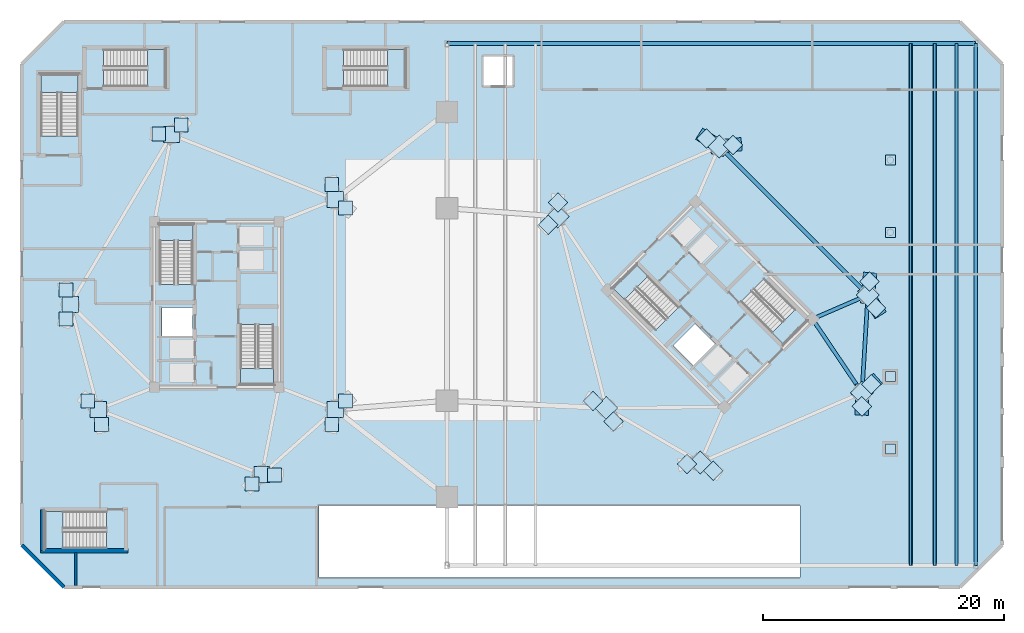
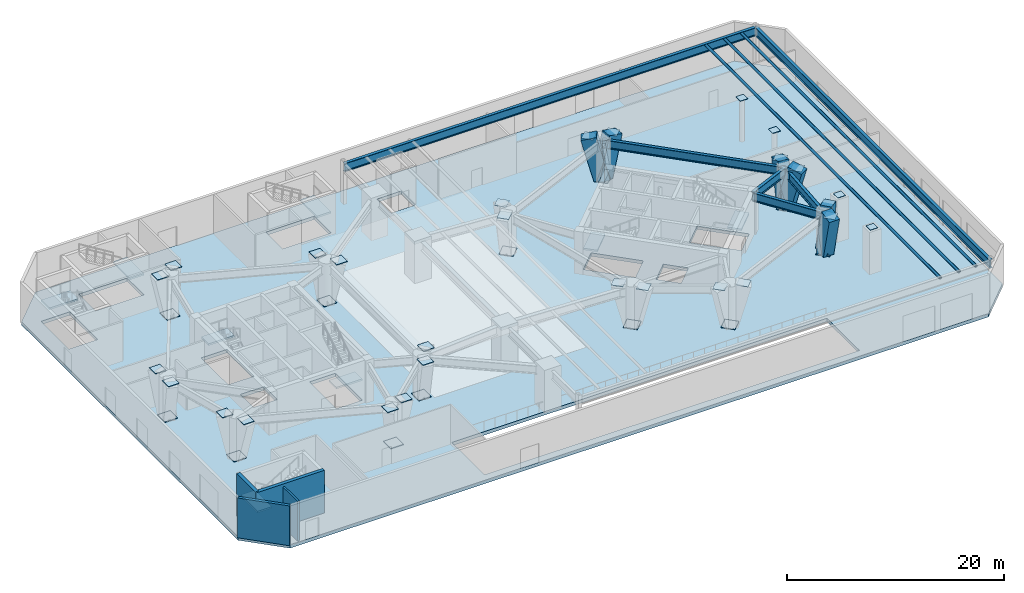
# One storey, part 4 of 17: 40 plates, 9 members, 9 slabs, 6 beams, 4 walls, 8 elements without a shape of their own.
"""IFC4 building model written with IfcOpenShell, lengths in metres."""

from ifc_helpers import new_model, si_unit, direction, frame, frame_2d, origin, origin_2d, place, context, subcontext, project, spatial, polyline, rectangle, hollow_circle, i_section, outline, extrude, source, transform, mapped, material, layer, layer_set, material_profile, profile_set, type_object, element, aggregate, save


model = new_model("IFC4")

# Units and contexts
model_context = context("Model", 3, precision=1e-05, world=origin(), true_north=direction((0.0, 1.0)))
body_context = subcontext(model_context, "Body", "Model", "MODEL_VIEW")
ifc_project = project(units=[si_unit("LENGTHUNIT", "METRE"), si_unit("AREAUNIT", "SQUARE_METRE"), si_unit("VOLUMEUNIT", "CUBIC_METRE"), si_unit("PLANEANGLEUNIT", "RADIAN"), si_unit("MASSUNIT", "GRAM", prefix="KILO")], contexts=[model_context])

# Site, building, storey
site_placement = place(None, origin())
site = spatial("IfcSite", under=ifc_project, at=site_placement, CompositionType="ELEMENT")
building_placement = place(site_placement, origin())
building = spatial("IfcBuilding", under=site, at=building_placement, Name="Cununo Teusaquillo Station Towers", CompositionType="ELEMENT")
storey_placement = place(building_placement, origin())
storey = spatial("IfcBuildingStorey", under=building, at=storey_placement, Name="L00", CompositionType="ELEMENT", Elevation=0.0)

# Beams
ifc_material_1 = material(Name="Steel ASTM A572 Grade 50", Category="steel")
ifc_material_profile_1 = material_profile(ifc_material_1, i_section(OverallWidth=0.30810546875, OverallDepth=0.943115234375, WebThickness=0.022216796875, FlangeThickness=0.039794921875, FilletRadius=0.02392578125, at=origin_2d()), Name="W36X232")
ifc_profile_set_1 = profile_set([ifc_material_profile_1], Name="Steel ASTM A572 Grade 50")
beam_type = type_object("IfcBeamType", Name="BM-POD-SEC", PredefinedType="BEAM", material=ifc_profile_set_1)
beam_1_placement = place(storey_placement, frame((70.146240234375, 17.173095703125, 4.028564453125), z_axis=(0.06012979176, 0.998190567048, 0.0), x_axis=(-0.998190567048, 0.06012979176, 0.0)))
element("IfcBeam", 1, at=beam_1_placement, inside=storey, type_object=beam_type, Name="L00 Tower B Podium Perimeter Girder 5", PredefinedType="BEAM", context=body_context, shape_type="SweptSolid", body=[
    extrude(i_section(OverallWidth=0.30810546875, OverallDepth=0.943115234375, WebThickness=0.022216796875, FlangeThickness=0.039794921875, FilletRadius=0.02392578125, at=origin_2d()), origin(), (0.0, 0.0, 1.0), 8.132568359375),
])
beam_2_placement = place(storey_placement, frame((70.63525390625, 25.291015625, 4.028564453125), z_axis=(-0.707106781187, 0.707106781187, 0.0), x_axis=(-0.707106781187, -0.707106781187, 0.0)))
element("IfcBeam", 2, at=beam_2_placement, inside=storey, type_object=beam_type, Name="L00 Tower B Podium Perimeter Girder 6", PredefinedType="BEAM", context=body_context, shape_type="SweptSolid", body=[
    extrude(i_section(OverallWidth=0.30810546875, OverallDepth=0.943115234375, WebThickness=0.022216796875, FlangeThickness=0.039794921875, FilletRadius=0.02392578125, at=origin_2d()), origin(), (0.0, 0.0, 1.0), 17.457275390625),
])
beam_3_placement = place(storey_placement, frame((66.024169921875, 23.29443359375, 4.028564453125), z_axis=(0.558557182486, -0.829466017323, 0.0), x_axis=(0.829466017323, 0.558557182486, 0.0)))
element("IfcBeam", 3, at=beam_3_placement, inside=storey, type_object=beam_type, Name="L00 Tower B Podium Radial Girder 5", PredefinedType="BEAM", context=body_context, shape_type="SweptSolid", body=[
    extrude(i_section(OverallWidth=0.30810546875, OverallDepth=0.943115234375, WebThickness=0.022216796875, FlangeThickness=0.039794921875, FilletRadius=0.02392578125, at=origin_2d()), origin(), (0.0, 0.0, 1.0), 7.3798828125),
])
beam_4_placement = place(storey_placement, frame((66.024169921875, 23.29443359375, 4.028564453125), z_axis=(0.917668443616, 0.397346986387, 0.0), x_axis=(-0.397346986387, 0.917668443616, 0.0)))
element("IfcBeam", 4, at=beam_4_placement, inside=storey, type_object=beam_type, Name="L00 Tower B Podium Radial Girder 6", PredefinedType="BEAM", context=body_context, shape_type="SweptSolid", body=[
    extrude(i_section(OverallWidth=0.30810546875, OverallDepth=0.943115234375, WebThickness=0.022216796875, FlangeThickness=0.039794921875, FilletRadius=0.02392578125, at=origin_2d()), origin(), (0.0, 0.0, 1.0), 5.02490234375),
])
beam_5_placement = place(storey_placement, frame((35.64990234375, 46.199951171875, 4.028564453125), z_axis=(1.0, 0.0, 0.0), x_axis=(0.0, 1.0, 0.0)))
element("IfcBeam", 5, at=beam_5_placement, inside=storey, type_object=beam_type, Name="L00 Station Podium Girder CAN-N", PredefinedType="BEAM", context=body_context, shape_type="SweptSolid", body=[
    extrude(i_section(OverallWidth=0.30810546875, OverallDepth=0.943115234375, WebThickness=0.022216796875, FlangeThickness=0.039794921875, FilletRadius=0.02392578125, at=origin_2d()), origin(), (0.0, 0.0, 1.0), 43.9501953125),
])
beam_6_placement = place(storey_placement, frame((79.60009765625, 2.800048828125, 4.028564453125), z_axis=(0.0, 1.0, 0.0), x_axis=(-1.0, 0.0, 0.0)))
element("IfcBeam", 6, at=beam_6_placement, inside=storey, type_object=beam_type, Name="L00 Station Podium Girder CAN-E", PredefinedType="BEAM", context=body_context, shape_type="SweptSolid", body=[
    extrude(i_section(OverallWidth=0.30810546875, OverallDepth=0.943115234375, WebThickness=0.022216796875, FlangeThickness=0.039794921875, FilletRadius=0.02392578125, at=origin_2d()), origin(), (0.0, 0.0, 1.0), 43.39990234375),
])

# Members
ifc_material_2 = material(Name="Steel EN 10025-2 S355J2", Category="steel")
ifc_material_profile_2 = material_profile(ifc_material_2, hollow_circle(Radius=0.136474609375, WallThickness=0.011962890625, at=origin_2d()), Name="CHS 273x12")
ifc_profile_set_2 = profile_set([ifc_material_profile_2], Name="Steel EN 10025-2 S355J2")
member_type_1 = type_object("IfcMemberType", Name="MBR-CAN-PUR", PredefinedType="PURLIN", material=ifc_profile_set_2)
for number, where, z_axis, x_axis, name in (
    (7, (74.199951171875, 2.800048828125, 4.360107421875), (0.0, 1.0, 0.0), (-1.0, 0.0, 0.0), "L00 Station Concourse Roof Purlin 4"),
    (8, (76.199951171875, 2.800048828125, 4.360107421875), (0.0, 1.0, 0.0), (-1.0, 0.0, 0.0), "L00 Station Concourse Roof Purlin 5"),
    (9, (78.0, 2.800048828125, 4.360107421875), (0.0, 1.0, 0.0), (-1.0, 0.0, 0.0), "L00 Station Concourse Roof Purlin 6"),
):
    element("IfcMember", number, at=place(storey_placement, frame(where, z_axis=z_axis, x_axis=x_axis)), inside=storey, type_object=member_type_1, Name=name, PredefinedType="PURLIN", context=body_context, shape_type="SweptSolid", body=[
        extrude(hollow_circle(Radius=0.136474609375, WallThickness=0.011962890625, at=origin_2d()), origin(), (0.0, 0.0, 1.0), 43.39990234375),
    ])
ifc_material_3 = material(Name="Concrete C60/75", Category="concrete")
ifc_material_profile_3 = material_profile(ifc_material_3, rectangle(XDim=1.10009765625, YDim=1.5, at=origin_2d()), Name="RC-RECT-1500x1100")
ifc_profile_set_3 = profile_set([ifc_material_profile_3], Name="Concrete C60/75")
member_type_2 = type_object("IfcMemberType", Name="MBR-VFOOT", PredefinedType="USERDEFINED", material=ifc_profile_set_3)
member_1_placement = place(storey_placement, frame((58.291015625, 37.63525390625, 0.0), z_axis=(0.226618876156, 0.024365491055, 0.97367869845), x_axis=(-0.106901367586, 0.994269630235, 0.0)))
element("IfcMember", 10, at=member_1_placement, inside=storey, type_object=member_type_2, Name="L00 Tower B Sloping Concrete V-Foot V02L", ObjectType="V FOOT STRUT", PredefinedType="USERDEFINED", context=body_context, shape_type="SweptSolid", body=[
    extrude(rectangle(XDim=1.10009765625, YDim=1.5, at=origin_2d()), origin(), (0.0, 0.0, 1.0), 4.9296875),
])
member_2_placement = place(storey_placement, frame((58.291015625, 37.63525390625, 0.0), z_axis=(-0.215843160907, 0.136125283525, 0.966892774342), x_axis=(-0.533441820632, -0.845836759665, 0.0)))
element("IfcMember", 11, at=member_2_placement, inside=storey, type_object=member_type_2, Name="L00 Tower B Sloping Concrete V-Foot V02R", ObjectType="V FOOT STRUT", PredefinedType="USERDEFINED", context=body_context, shape_type="SweptSolid", body=[
    extrude(rectangle(XDim=1.10009765625, YDim=1.5, at=origin_2d()), origin(), (0.0, 0.0, 1.0), 4.96435546875),
])
member_3_placement = place(storey_placement, frame((70.146240234375, 17.173095703125, 0.0), z_axis=(-0.002968289374, -0.232219172025, 0.972658956368), x_axis=(0.999918316729, -0.012781231147, 0.0)))
element("IfcMember", 12, at=member_3_placement, inside=storey, type_object=member_type_2, Name="L00 Tower B Sloping Concrete V-Foot V16L", ObjectType="V FOOT STRUT", PredefinedType="USERDEFINED", context=body_context, shape_type="SweptSolid", body=[
    extrude(rectangle(XDim=1.10009765625, YDim=1.5, at=origin_2d()), origin(), (0.0, 0.0, 1.0), 4.93505859375),
])
member_4_placement = place(storey_placement, frame((70.146240234375, 17.173095703125, 0.0), z_axis=(0.159299243252, 0.142355686812, 0.976912795254), x_axis=(-0.66633923762, 0.74564872454, 0.0)))
element("IfcMember", 13, at=member_4_placement, inside=storey, type_object=member_type_2, Name="L00 Tower B Sloping Concrete V-Foot V16R", ObjectType="V FOOT STRUT", PredefinedType="USERDEFINED", context=body_context, shape_type="SweptSolid", body=[
    extrude(rectangle(XDim=1.10009765625, YDim=1.5, at=origin_2d()), origin(), (0.0, 0.0, 1.0), 4.91357421875),
])
member_5_placement = place(storey_placement, frame((70.63525390625, 25.291015625, 0.0), z_axis=(0.136125283525, -0.215843160907, 0.966892774342), x_axis=(0.845836759665, 0.533441820632, 0.0)))
element("IfcMember", 14, at=member_5_placement, inside=storey, type_object=member_type_2, Name="L00 Tower B Sloping Concrete V-Foot V18L", ObjectType="V FOOT STRUT", PredefinedType="USERDEFINED", context=body_context, shape_type="SweptSolid", body=[
    extrude(rectangle(XDim=1.10009765625, YDim=1.5, at=origin_2d()), origin(), (0.0, 0.0, 1.0), 4.96435546875),
])
member_6_placement = place(storey_placement, frame((70.63525390625, 25.291015625, 0.0), z_axis=(0.024365491055, 0.226618876156, 0.97367869845), x_axis=(-0.994269630235, 0.106901367586, 0.0)))
element("IfcMember", 15, at=member_6_placement, inside=storey, type_object=member_type_2, Name="L00 Tower B Sloping Concrete V-Foot V18R", ObjectType="V FOOT STRUT", PredefinedType="USERDEFINED", context=body_context, shape_type="SweptSolid", body=[
    extrude(rectangle(XDim=1.10009765625, YDim=1.5, at=origin_2d()), origin(), (0.0, 0.0, 1.0), 4.9296875),
])

# Slab
ifc_material_4 = material(Name="Concrete C50/60", Category="concrete")
ifc_layer_1 = layer(ifc_material_4, 0.3798828125)
ifc_layer_set_1 = layer_set([ifc_layer_1], Name="Concrete C50/60")
slab_type_1 = type_object("IfcSlabType", Name="SLB-CONC-380", PredefinedType="FLOOR", material=ifc_layer_set_1)
slab_1_placement = place(storey_placement, frame((0.0, 0.0, -0.3798828125)))
element("IfcSlab", 16, at=slab_1_placement, inside=storey, type_object=slab_type_1, Name="L00 Structural Slab", PredefinedType="FLOOR", context=body_context, shape_type="SweptSolid", body=[
    extrude(outline(polyline([(3.800048828125, 1.0), (78.300048828125, 1.0), (81.800048828125, 4.5), (81.800048828125, 44.5), (78.300048828125, 48.0), (3.800048828125, 48.0), (0.300048828125, 44.5), (0.300048828125, 4.5), (3.800048828125, 1.0)]), holes=[polyline([(14.52001953125, 26.176025390625), (14.52001953125, 31.159912109375), (11.760009765625, 31.159912109375), (11.760009765625, 26.176025390625), (14.52001953125, 26.176025390625)]), polyline([(18.47998046875, 22.823974609375), (18.47998046875, 17.840087890625), (21.239990234375, 17.840087890625), (21.239990234375, 22.823974609375), (18.47998046875, 22.823974609375)]), polyline([(54.914794921875, 24.28515625), (51.390625, 27.809326171875), (49.43896484375, 25.857666015625), (52.963134765625, 22.33349609375), (54.914794921875, 24.28515625)]), polyline([(60.085205078125, 24.71484375), (63.609375, 21.190673828125), (65.56103515625, 23.142333984375), (62.036865234375, 26.66650390625), (60.085205078125, 24.71484375)]), polyline([(27.055908203125, 42.60009765625), (32.199951171875, 42.60009765625), (32.199951171875, 45.699951171875), (27.055908203125, 45.699951171875), (27.055908203125, 42.60009765625)]), polyline([(7.343994140625, 7.300048828125), (2.199951171875, 7.300048828125), (2.199951171875, 4.199951171875), (7.343994140625, 4.199951171875), (7.343994140625, 7.300048828125)]), polyline([(4.97998046875, 38.506103515625), (4.97998046875, 43.64990234375), (1.8798828125, 43.64990234375), (1.8798828125, 38.506103515625), (4.97998046875, 38.506103515625)]), polyline([(7.10595703125, 42.60009765625), (12.25, 42.60009765625), (12.25, 45.699951171875), (7.10595703125, 45.699951171875), (7.10595703125, 42.60009765625)]), polyline([(11.949951171875, 21.85009765625), (14.47998046875, 21.85009765625), (14.47998046875, 24.25), (11.949951171875, 24.25), (11.949951171875, 21.85009765625)]), polyline([(56.156494140625, 19.40869140625), (57.945556640625, 21.19775390625), (56.248291015625, 22.89501953125), (54.45947265625, 21.10595703125), (56.156494140625, 19.40869140625)]), polyline([(38.60009765625, 42.60009765625), (41.199951171875, 42.60009765625), (41.199951171875, 45.199951171875), (38.60009765625, 45.199951171875), (38.60009765625, 42.60009765625)]), polyline([(25.0, 1.800048828125), (65.0, 1.800048828125), (65.0, 7.800048828125), (25.0, 7.800048828125), (25.0, 1.800048828125)])]), origin(), (0.0, 0.0, 1.0), 0.3798828125),
])

# Stair, slab
ifc_material_5 = material(Name="Concrete C50/60", Category="concrete")
stair_type_1 = type_object("IfcStairType", Name="ST-TWR-1300", PredefinedType="HALF_TURN_STAIR", material=ifc_material_5)
stair_1_placement = place(storey_placement, origin())
stair_1 = element("IfcStair", 17, at=stair_1_placement, inside=storey, type_object=stair_type_1, Name="L00 Tower A Protected Core Exit Stair 1", PredefinedType="HALF_TURN_STAIR")
ifc_material_6 = material(Name="Concrete C50/60", Category="concrete")
ifc_layer_2 = layer(ifc_material_6, 0.199951171875)
ifc_layer_set_2 = layer_set([ifc_layer_2], Name="Concrete C50/60")
slab_type_2 = type_object("IfcSlabType", Name="SLB-STAIR-LND", PredefinedType="LANDING", material=ifc_layer_set_2)
slab_2_placement = place(storey_placement, frame((0.0, 0.0, 2.199951171875)))
slab_2 = element("IfcSlab", 18, at=slab_2_placement, type_object=slab_type_2, Name="ST-T1-1 landing 1", PredefinedType="LANDING", context=body_context, shape_type="SweptSolid", body=[
    extrude(outline(polyline([(14.52001953125, 29.81005859375), (14.52001953125, 31.159912109375), (11.760009765625, 31.159912109375), (11.760009765625, 29.81005859375), (14.52001953125, 29.81005859375)])), origin(), (0.0, 0.0, 1.0), 0.199951171875),
])
aggregate(stair_1, [slab_2])

stair_2_placement = place(storey_placement, origin())
stair_2 = element("IfcStair", 19, at=stair_2_placement, inside=storey, type_object=stair_type_1, Name="L00 Tower A Protected Core Exit Stair 2", PredefinedType="HALF_TURN_STAIR")
slab_3_placement = place(storey_placement, frame((0.0, 0.0, 2.199951171875)))
slab_3 = element("IfcSlab", 20, at=slab_3_placement, type_object=slab_type_2, Name="ST-T1-2 landing 1", PredefinedType="LANDING", context=body_context, shape_type="SweptSolid", body=[
    extrude(outline(polyline([(18.47998046875, 19.18994140625), (18.47998046875, 17.840087890625), (21.239990234375, 17.840087890625), (21.239990234375, 19.18994140625), (18.47998046875, 19.18994140625)])), origin(), (0.0, 0.0, 1.0), 0.199951171875),
])
aggregate(stair_2, [slab_3])

stair_3_placement = place(storey_placement, origin())
stair_3 = element("IfcStair", 21, at=stair_3_placement, inside=storey, type_object=stair_type_1, Name="L00 Tower B Protected Core Exit Stair 1", PredefinedType="HALF_TURN_STAIR")
slab_4_placement = place(storey_placement, frame((0.0, 0.0, 2.199951171875)))
slab_4 = element("IfcSlab", 22, at=slab_4_placement, type_object=slab_type_2, Name="ST-T2-1 landing 1", PredefinedType="LANDING", context=body_context, shape_type="SweptSolid", body=[
    extrude(outline(polyline([(52.34521484375, 26.854736328125), (51.390625, 27.809326171875), (49.43896484375, 25.857666015625), (50.3935546875, 24.903076171875), (52.34521484375, 26.854736328125)])), origin(), (0.0, 0.0, 1.0), 0.199951171875),
])
aggregate(stair_3, [slab_4])

stair_4_placement = place(storey_placement, origin())
stair_4 = element("IfcStair", 23, at=stair_4_placement, inside=storey, type_object=stair_type_1, Name="L00 Tower B Protected Core Exit Stair 2", PredefinedType="HALF_TURN_STAIR")
slab_5_placement = place(storey_placement, frame((0.0, 0.0, 2.199951171875)))
slab_5 = element("IfcSlab", 24, at=slab_5_placement, type_object=slab_type_2, Name="ST-T2-2 landing 1", PredefinedType="LANDING", context=body_context, shape_type="SweptSolid", body=[
    extrude(outline(polyline([(62.65478515625, 22.145263671875), (63.609375, 21.190673828125), (65.56103515625, 23.142333984375), (64.6064453125, 24.096923828125), (62.65478515625, 22.145263671875)])), origin(), (0.0, 0.0, 1.0), 0.199951171875),
])
aggregate(stair_4, [slab_5])

ifc_material_7 = material(Name="Concrete C50/60", Category="concrete")
stair_type_2 = type_object("IfcStairType", Name="ST-POD-1450", PredefinedType="HALF_TURN_STAIR", material=ifc_material_7)
stair_5_placement = place(storey_placement, origin())
stair_5 = element("IfcStair", 25, at=stair_5_placement, inside=storey, type_object=stair_type_2, Name="L00 Station Podium North Protected Exit Stair", PredefinedType="HALF_TURN_STAIR")
slab_6_placement = place(storey_placement, frame((0.0, 0.0, 2.199951171875)))
slab_6 = element("IfcSlab", 26, at=slab_6_placement, type_object=slab_type_2, Name="ST-POD-N landing 1", PredefinedType="LANDING", context=body_context, shape_type="SweptSolid", body=[
    extrude(outline(polyline([(30.68994140625, 42.60009765625), (32.199951171875, 42.60009765625), (32.199951171875, 45.699951171875), (30.68994140625, 45.699951171875), (30.68994140625, 42.60009765625)])), origin(), (0.0, 0.0, 1.0), 0.199951171875),
])
aggregate(stair_5, [slab_6])

stair_6_placement = place(storey_placement, origin())
stair_6 = element("IfcStair", 27, at=stair_6_placement, inside=storey, type_object=stair_type_2, Name="L00 Station Podium South Protected Exit Stair", PredefinedType="HALF_TURN_STAIR")
slab_7_placement = place(storey_placement, frame((0.0, 0.0, 2.199951171875)))
slab_7 = element("IfcSlab", 28, at=slab_7_placement, type_object=slab_type_2, Name="ST-POD-S landing 1", PredefinedType="LANDING", context=body_context, shape_type="SweptSolid", body=[
    extrude(outline(polyline([(3.7099609375, 7.300048828125), (2.199951171875, 7.300048828125), (2.199951171875, 4.199951171875), (3.7099609375, 4.199951171875), (3.7099609375, 7.300048828125)])), origin(), (0.0, 0.0, 1.0), 0.199951171875),
])
aggregate(stair_6, [slab_7])

stair_7_placement = place(storey_placement, origin())
stair_7 = element("IfcStair", 29, at=stair_7_placement, inside=storey, type_object=stair_type_2, Name="L00 Station Podium West Protected Exit Stair", PredefinedType="HALF_TURN_STAIR")
slab_8_placement = place(storey_placement, frame((0.0, 0.0, 2.199951171875)))
slab_8 = element("IfcSlab", 30, at=slab_8_placement, type_object=slab_type_2, Name="ST-POD-W landing 1", PredefinedType="LANDING", context=body_context, shape_type="SweptSolid", body=[
    extrude(outline(polyline([(4.97998046875, 42.139892578125), (4.97998046875, 43.64990234375), (1.8798828125, 43.64990234375), (1.8798828125, 42.139892578125), (4.97998046875, 42.139892578125)])), origin(), (0.0, 0.0, 1.0), 0.199951171875),
])
aggregate(stair_7, [slab_8])

stair_8_placement = place(storey_placement, origin())
stair_8 = element("IfcStair", 31, at=stair_8_placement, inside=storey, type_object=stair_type_2, Name="L00 Station Podium North-West Protected Exit Stair", PredefinedType="HALF_TURN_STAIR")
slab_9_placement = place(storey_placement, frame((0.0, 0.0, 2.199951171875)))
slab_9 = element("IfcSlab", 32, at=slab_9_placement, type_object=slab_type_2, Name="ST-POD-C landing 1", PredefinedType="LANDING", context=body_context, shape_type="SweptSolid", body=[
    extrude(outline(polyline([(10.739990234375, 42.60009765625), (12.25, 42.60009765625), (12.25, 45.699951171875), (10.739990234375, 45.699951171875), (10.739990234375, 42.60009765625)])), origin(), (0.0, 0.0, 1.0), 0.199951171875),
])
aggregate(stair_8, [slab_9])

# Plates
ifc_material_8 = material(Name="Steel ASTM A572 Grade 50", Category="steel")
ifc_layer_3 = layer(ifc_material_8, 0.0400390625)
ifc_layer_set_3 = layer_set([ifc_layer_3], Name="Steel ASTM A572 Grade 50")
plate_type_1 = type_object("IfcPlateType", Name="PLT-NODE-CRN1", PredefinedType="USERDEFINED", material=ifc_layer_set_3)
shared_shape_1 = source(origin(), body_context, "Body", "SweptSolid", [
    extrude(rectangle(XDim=0.820068359375, YDim=0.820068359375, at=origin_2d()), origin(), (0.0, 0.0, 1.0), 0.0400390625),
])
for number, where, z_axis, x_axis, name in (
    (33, (72.5, 12.5, 4.800048828125), (0.0, 0.0, 1.0), (1.0, 0.0, 0.0), "L00 East Gallery Column Sealed Cap Plate 1"),
    (34, (72.5, 18.5, 4.800048828125), (0.0, 0.0, 1.0), (1.0, 0.0, 0.0), "L00 East Gallery Column Sealed Cap Plate 2"),
    (35, (72.5, 30.5, 4.800048828125), (0.0, 0.0, 1.0), (1.0, 0.0, 0.0), "L00 East Gallery Column Sealed Cap Plate 3"),
    (36, (72.5, 36.5, 4.800048828125), (0.0, 0.0, 1.0), (1.0, 0.0, 0.0), "L00 East Gallery Column Sealed Cap Plate 4"),
):
    element("IfcPlate", number, at=place(storey_placement, frame(where, z_axis=z_axis, x_axis=x_axis)), inside=storey, type_object=plate_type_1, Name=name, ObjectType="GUSSET PLATE", PredefinedType="USERDEFINED", context=body_context, shape_type="MappedRepresentation", body=[
        mapped(shared_shape_1, transform((0.0, 0.0, 0.0), x_axis=(1.0, 0.0, 0.0), y_axis=(0.0, 1.0, 0.0), z_axis=(0.0, 0.0, 1.0), scale=1.0)),
    ])
ifc_material_9 = material(Name="Steel ASTM A572 Grade 50", Category="steel")
ifc_layer_4 = layer(ifc_material_9, 0.06005859375)
ifc_layer_set_4 = layer_set([ifc_layer_4], Name="Steel ASTM A572 Grade 50")
plate_type_2 = type_object("IfcPlateType", Name="PLT-NODE-BDN1", PredefinedType="USERDEFINED", material=ifc_layer_set_4)
shared_shape_2 = source(origin(), body_context, "Body", "SweptSolid", [
    extrude(rectangle(XDim=1.35009765625, YDim=1.35009765625, at=origin_2d()), origin(), (0.0, 0.0, 1.0), 0.06005859375),
])
for number, where, z_axis, x_axis, name in (
    (37, (26.347412109375, 33.228515625, 0.0), (0.0, 0.0, 1.0), (1.0, 0.0, 0.0), "L00 Tower A V-Foot Pier Base Plate V02"),
    (38, (12.738525390625, 38.623291015625, 0.0), (0.0, 0.0, 1.0), (1.0, 0.0, 0.0), "L00 Tower A V-Foot Pier Base Plate V06"),
    (39, (4.327880859375, 24.5, 0.0), (0.0, 0.0, 1.0), (1.0, 0.0, 0.0), "L00 Tower A V-Foot Pier Base Plate V10"),
    (40, (6.652587890625, 15.771484375, 0.0), (0.0, 0.0, 1.0), (1.0, 0.0, 0.0), "L00 Tower A V-Foot Pier Base Plate V12"),
    (41, (20.261474609375, 10.376708984375, 0.0), (0.0, 0.0, 1.0), (1.0, 0.0, 0.0), "L00 Tower A V-Foot Pier Base Plate V16"),
    (42, (26.347412109375, 15.771484375, 0.0), (0.0, 0.0, 1.0), (1.0, 0.0, 0.0), "L00 Tower A V-Foot Pier Base Plate V18"),
    (43, (58.291015625, 37.63525390625, 0.0), (0.0, 0.0, 1.0), (0.707106781187, 0.707106781187, 0.0), "L00 Tower B V-Foot Pier Base Plate V02"),
    (44, (44.853759765625, 31.826904296875, 0.0), (0.0, 0.0, 1.0), (0.707106781187, 0.707106781187, 0.0), "L00 Tower B V-Foot Pier Base Plate V06"),
    (45, (48.89306640625, 15.89306640625, 0.0), (0.0, 0.0, 1.0), (0.707106781187, 0.707106781187, 0.0), "L00 Tower B V-Foot Pier Base Plate V10"),
    (46, (56.708984375, 11.36474609375, 0.0), (0.0, 0.0, 1.0), (0.707106781187, 0.707106781187, 0.0), "L00 Tower B V-Foot Pier Base Plate V12"),
    (47, (70.146240234375, 17.173095703125, 0.0), (0.0, 0.0, 1.0), (0.707106781187, 0.707106781187, 0.0), "L00 Tower B V-Foot Pier Base Plate V16"),
    (48, (70.63525390625, 25.291015625, 0.0), (0.0, 0.0, 1.0), (0.707106781187, 0.707106781187, 0.0), "L00 Tower B V-Foot Pier Base Plate V18"),
):
    element("IfcPlate", number, at=place(storey_placement, frame(where, z_axis=z_axis, x_axis=x_axis)), inside=storey, type_object=plate_type_2, Name=name, ObjectType="BASE PLATE", PredefinedType="USERDEFINED", context=body_context, shape_type="MappedRepresentation", body=[
        mapped(shared_shape_2, transform((0.0, 0.0, 0.0), x_axis=(1.0, 0.0, 0.0), y_axis=(0.0, 1.0, 0.0), z_axis=(0.0, 0.0, 1.0), scale=1.0)),
    ])
shared_shape_3 = source(origin(), body_context, "Body", "SweptSolid", [
    extrude(rectangle(XDim=1.14990234375, YDim=1.14990234375, at=origin_2d()), origin(), (0.0, 0.0, 1.0), 0.06005859375),
])
for number, where, z_axis, x_axis, name in (
    (49, (27.222412109375, 32.523681640625, 4.739990234375), (0.0, 0.0, 1.0), (1.0, 0.0, 0.0), "L00 Tower A V-Foot Pier Head Plate V02L"),
    (50, (26.0673828125, 34.46435546875, 4.739990234375), (0.0, 0.0, 1.0), (1.0, 0.0, 0.0), "L00 Tower A V-Foot Pier Head Plate V02R"),
    (51, (13.559326171875, 39.423095703125, 4.739990234375), (0.0, 0.0, 1.0), (1.0, 0.0, 0.0), "L00 Tower A V-Foot Pier Head Plate V06L"),
    (52, (11.690673828125, 38.681884765625, 4.739990234375), (0.0, 0.0, 1.0), (1.0, 0.0, 0.0), "L00 Tower A V-Foot Pier Head Plate V06R"),
    (53, (3.960205078125, 25.699462890625, 4.739990234375), (0.0, 0.0, 1.0), (1.0, 0.0, 0.0), "L00 Tower A V-Foot Pier Head Plate V10L"),
    (54, (3.960205078125, 23.300537109375, 4.739990234375), (0.0, 0.0, 1.0), (1.0, 0.0, 0.0), "L00 Tower A V-Foot Pier Head Plate V10R"),
    (55, (5.777587890625, 16.476318359375, 4.739990234375), (0.0, 0.0, 1.0), (1.0, 0.0, 0.0), "L00 Tower A V-Foot Pier Head Plate V12L"),
    (56, (6.9326171875, 14.53564453125, 4.739990234375), (0.0, 0.0, 1.0), (1.0, 0.0, 0.0), "L00 Tower A V-Foot Pier Head Plate V12R"),
    (57, (19.440673828125, 9.576904296875, 4.739990234375), (0.0, 0.0, 1.0), (1.0, 0.0, 0.0), "L00 Tower A V-Foot Pier Head Plate V16L"),
    (58, (21.309326171875, 10.318115234375, 4.739990234375), (0.0, 0.0, 1.0), (1.0, 0.0, 0.0), "L00 Tower A V-Foot Pier Head Plate V16R"),
    (59, (26.0673828125, 14.53564453125, 4.739990234375), (0.0, 0.0, 1.0), (1.0, 0.0, 0.0), "L00 Tower A V-Foot Pier Head Plate V18L"),
    (60, (27.222412109375, 16.476318359375, 4.739990234375), (0.0, 0.0, 1.0), (1.0, 0.0, 0.0), "L00 Tower A V-Foot Pier Head Plate V18R"),
    (61, (59.408203125, 37.75537109375, 4.739990234375), (0.0, 0.0, 1.0), (0.707106781187, 0.707106781187, 0.0), "L00 Tower B V-Foot Pier Head Plate V02L"),
    (62, (57.219482421875, 38.31103515625, 4.739990234375), (0.0, 0.0, 1.0), (0.707106781187, 0.707106781187, 0.0), "L00 Tower B V-Foot Pier Head Plate V02R"),
    (63, (44.868408203125, 32.972900390625, 4.739990234375), (0.0, 0.0, 1.0), (0.707106781187, 0.707106781187, 0.0), "L00 Tower B V-Foot Pier Head Plate V06L"),
    (64, (44.071044921875, 31.12744140625, 4.739990234375), (0.0, 0.0, 1.0), (0.707106781187, 0.707106781187, 0.0), "L00 Tower B V-Foot Pier Head Plate V06R"),
    (65, (47.784912109375, 16.481201171875, 4.739990234375), (0.0, 0.0, 1.0), (0.707106781187, 0.707106781187, 0.0), "L00 Tower B V-Foot Pier Head Plate V10L"),
    (66, (49.481201171875, 14.784912109375, 4.739990234375), (0.0, 0.0, 1.0), (0.707106781187, 0.707106781187, 0.0), "L00 Tower B V-Foot Pier Head Plate V10R"),
    (67, (55.591796875, 11.24462890625, 4.739990234375), (0.0, 0.0, 1.0), (0.707106781187, 0.707106781187, 0.0), "L00 Tower B V-Foot Pier Head Plate V12L"),
    (68, (57.780517578125, 10.68896484375, 4.739990234375), (0.0, 0.0, 1.0), (0.707106781187, 0.707106781187, 0.0), "L00 Tower B V-Foot Pier Head Plate V12R"),
    (69, (70.131591796875, 16.027099609375, 4.739990234375), (0.0, 0.0, 1.0), (0.707106781187, 0.707106781187, 0.0), "L00 Tower B V-Foot Pier Head Plate V16L"),
    (70, (70.928955078125, 17.87255859375, 4.739990234375), (0.0, 0.0, 1.0), (0.707106781187, 0.707106781187, 0.0), "L00 Tower B V-Foot Pier Head Plate V16R"),
    (71, (71.31103515625, 24.219482421875, 4.739990234375), (0.0, 0.0, 1.0), (0.707106781187, 0.707106781187, 0.0), "L00 Tower B V-Foot Pier Head Plate V18L"),
    (72, (70.75537109375, 26.408203125, 4.739990234375), (0.0, 0.0, 1.0), (0.707106781187, 0.707106781187, 0.0), "L00 Tower B V-Foot Pier Head Plate V18R"),
):
    element("IfcPlate", number, at=place(storey_placement, frame(where, z_axis=z_axis, x_axis=x_axis)), inside=storey, type_object=plate_type_2, Name=name, ObjectType="BASE PLATE", PredefinedType="USERDEFINED", context=body_context, shape_type="MappedRepresentation", body=[
        mapped(shared_shape_3, transform((0.0, 0.0, 0.0), x_axis=(1.0, 0.0, 0.0), y_axis=(0.0, 1.0, 0.0), z_axis=(0.0, 0.0, 1.0), scale=1.0)),
    ])

# Walls
ifc_material_10 = material(Name="Concrete C50/60", Category="concrete")
ifc_layer_5 = layer(ifc_material_10, 0.35009765625)
ifc_layer_set_5 = layer_set([ifc_layer_5], Name="Concrete C50/60")
wall_type_1 = type_object("IfcWallType", Name="WL-CORE-350", PredefinedType="SHEAR", material=ifc_layer_set_5)
wall_1_placement = place(storey_placement, frame((1.860107421875, 4.034912109375, 0.0), z_axis=(0.0, 0.0, 1.0), x_axis=(1.0, 0.0, 0.0)))
element("IfcWall", 73, at=wall_1_placement, inside=storey, type_object=wall_type_1, Name="L00 Podium South Exit Stair Concrete Shaft Wall S", PredefinedType="SHEAR", context=body_context, shape_type="SweptSolid", body=[
    extrude(rectangle(XDim=7.27978515625, YDim=0.35009765625, at=frame_2d((3.639892578125, 0.0))), origin(), (0.0, 0.0, 1.0), 4.800048828125),
])
wall_2_placement = place(storey_placement, frame((2.034912109375, 4.034912109375, 0.0), z_axis=(0.0, 0.0, 1.0), x_axis=(0.0, 1.0, 0.0)))
element("IfcWall", 74, at=wall_2_placement, inside=storey, type_object=wall_type_1, Name="L00 Podium South Exit Stair Concrete Shaft Wall W", PredefinedType="SHEAR", context=body_context, shape_type="SweptSolid", body=[
    extrude(rectangle(XDim=3.43017578125, YDim=0.35009765625, at=frame_2d((1.715087890625, 0.0))), origin(), (0.0, 0.0, 1.0), 4.800048828125),
])
ifc_material_11 = material(Name="Precast concrete C40/50", Category="concrete")
ifc_layer_6 = layer(ifc_material_11, 0.300048828125)
ifc_layer_set_6 = layer_set([ifc_layer_6], Name="Precast concrete C40/50")
wall_type_2 = type_object("IfcWallType", Name="WL-EXT-300", PredefinedType="SOLIDWALL", material=ifc_layer_set_6)
wall_3_placement = place(storey_placement, frame((3.800048828125, 1.0, 0.0), z_axis=(0.0, 0.0, 1.0), x_axis=(-0.707106781187, 0.707106781187, 0.0)))
element("IfcWall", 75, at=wall_3_placement, inside=storey, type_object=wall_type_2, Name="L00 Station Podium Facade Wall 8", PredefinedType="SOLIDWALL", context=body_context, shape_type="SweptSolid", body=[
    extrude(rectangle(XDim=4.94970703125, YDim=0.300048828125, at=frame_2d((2.474853515625, 0.0))), origin(), (0.0, 0.0, 1.0), 4.485107421875),
])
ifc_material_12 = material(Name="Fire-rated gypsum plasterboard partition assembly", Category="gypsum")
ifc_layer_7 = layer(ifc_material_12, 0.199951171875)
ifc_layer_set_7 = layer_set([ifc_layer_7], Name="Fire-rated gypsum plasterboard partition assembly")
wall_type_3 = type_object("IfcWallType", Name="WL-PART-200", PredefinedType="PARTITIONING", material=ifc_layer_set_7)
wall_4_placement = place(storey_placement, frame((4.800048828125, 1.14990234375, 0.0), z_axis=(0.0, 0.0, 1.0), x_axis=(0.0, 1.0, 0.0)))
element("IfcWall", 76, at=wall_4_placement, inside=storey, type_object=wall_type_3, Name="L00 South Exit Passageway Lower Return Wall", PredefinedType="PARTITIONING", context=body_context, shape_type="SweptSolid", body=[
    extrude(rectangle(XDim=2.75, YDim=0.199951171875, at=frame_2d((1.375, 0.0))), origin(), (0.0, 0.0, 1.0), 4.485107421875),
])

save(model, "model.ifc")
